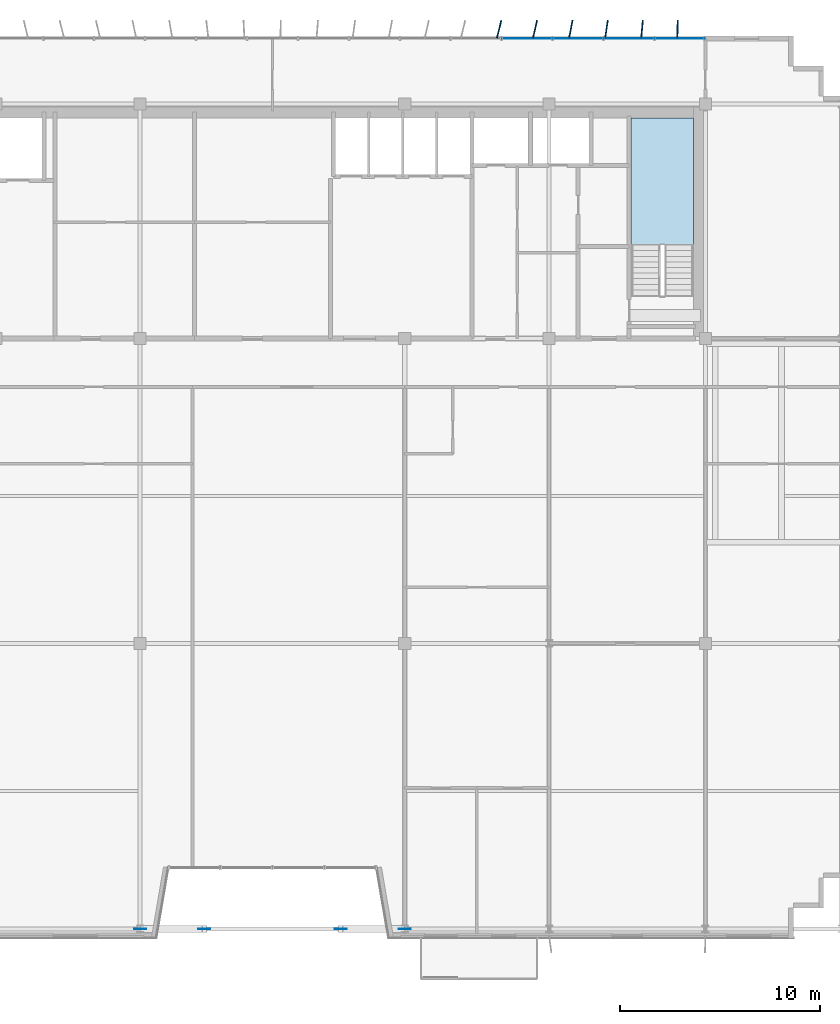
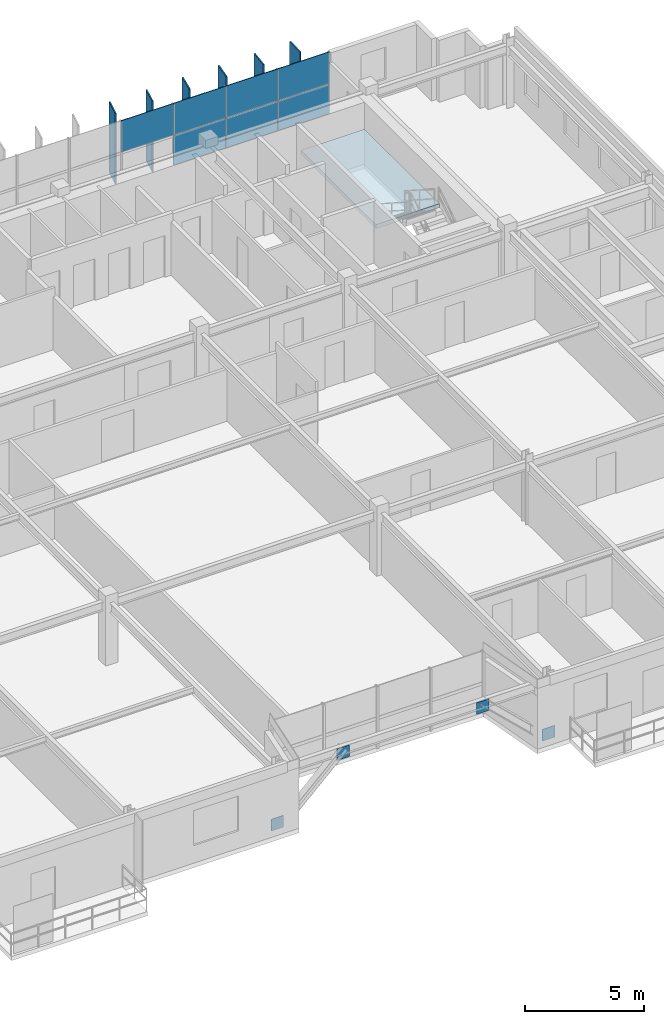
# One storey, part 20 of 26: 17 plates, 1 slab, 2 elements without a shape of their own.
"""IFC4 building model written with IfcOpenShell, lengths in metres."""

from ifc_helpers import new_model, si_unit, direction, frame, origin, origin_2d, place, context, subcontext, project, spatial, polyline, rectangle, outline, extrude, source, transform, mapped, material, layer, layer_set, type_object, element, aggregate, save


model = new_model("IFC4")

# Units and contexts
model_context = context("Model", 3, precision=1e-05, world=origin(), true_north=direction((0.0, 1.0)))
body_context = subcontext(model_context, "Body", "Model", "MODEL_VIEW")
ifc_project = project(units=[si_unit("LENGTHUNIT", "METRE"), si_unit("AREAUNIT", "SQUARE_METRE"), si_unit("VOLUMEUNIT", "CUBIC_METRE"), si_unit("PLANEANGLEUNIT", "RADIAN"), si_unit("MASSUNIT", "GRAM", prefix="KILO")], contexts=[model_context])

# Site, building, storey
site_placement = place(None, origin())
site = spatial("IfcSite", under=ifc_project, at=site_placement, CompositionType="ELEMENT")
building_placement = place(site_placement, origin())
building = spatial("IfcBuilding", under=site, at=building_placement, Name="Trelvane Seafront Commons", CompositionType="ELEMENT")
storey_placement = place(building_placement, frame((0.0, 0.0, 291.89990234375)))
storey = spatial("IfcBuildingStorey", under=building, at=storey_placement, Name="L76", CompositionType="ELEMENT", Elevation=291.89990234375)

# Stair, slab
ifc_material_1 = material(Name="Concrete C40/50", Category="concrete")
stair_type = type_object("IfcStairType", Name="ARCH-STR-ST-2-R20-180", PredefinedType="HALF_TURN_STAIR", material=ifc_material_1)
stair_placement = place(storey_placement, origin())
stair = element("IfcStair", 1, at=stair_placement, inside=storey, type_object=stair_type, Name="L76 East Protected Firefighting Exit Stair ST-2", PredefinedType="HALF_TURN_STAIR")
ifc_layer_1 = layer(ifc_material_1, 0.199951171875, Name="ARCH-LND-200")
ifc_layer_set_1 = layer_set([ifc_layer_1], Name="Concrete C40/50")
slab_type = type_object("IfcSlabType", Name="ARCH-LND-200", PredefinedType="LANDING", material=ifc_layer_set_1)
slab_placement = place(storey_placement, frame((0.0, 0.0, 1.60009765625)))
slab = element("IfcSlab", 2, at=slab_placement, type_object=slab_type, Name="ST-2 landing 1", PredefinedType="LANDING", context=body_context, shape_type="SweptSolid", body=[
    extrude(outline(polyline([(58.199951171875, 38.070068359375), (58.199951171875, 44.39990234375), (55.10009765625, 44.39990234375), (55.10009765625, 38.070068359375), (58.199951171875, 38.070068359375)])), origin(), (0.0, 0.0, 1.0), 0.199951171875),
])
aggregate(stair, [slab])

# Plates
ifc_material_2 = material(Name="Steel SM355 (S355)", Category="steel")
ifc_layer_2 = layer(ifc_material_2, 0.031982421875, Name="STR-PLT-GUS2")
ifc_layer_set_2 = layer_set([ifc_layer_2], Name="Steel SM355 (S355)")
plate_type_1 = type_object("IfcPlateType", Name="STR-PLT-GUS2", PredefinedType="SHEET", material=ifc_layer_set_2)
shared_shape_1 = source(origin(), body_context, "Body", "SweptSolid", [
    extrude(rectangle(XDim=0.60009765625, YDim=0.031982421875, at=origin_2d()), origin(), (0.0, 0.0, 1.0), 0.60009765625),
])
for number, where, z_axis, x_axis, name in (
    (3, (30.60009765625, 3.949951171875, -0.02001953125), (0.0, 0.0, 1.0), (1.0, 0.0, 0.0), "L76 Brace Connection Gusset Plate GP-202"),
    (4, (33.800048828125, 3.949951171875, 2.47998046875), (0.0, 0.0, 1.0), (1.0, 0.0, 0.0), "L76 Brace Connection Gusset Plate GP-203"),
    (5, (43.800048828125, 3.949951171875, -0.02001953125), (0.0, 0.0, 1.0), (1.0, 0.0, 0.0), "L76 Brace Connection Gusset Plate GP-204"),
    (6, (40.60009765625, 3.949951171875, 2.47998046875), (0.0, 0.0, 1.0), (1.0, 0.0, 0.0), "L76 Brace Connection Gusset Plate GP-205"),
):
    element("IfcPlate", number, at=place(storey_placement, frame(where, z_axis=z_axis, x_axis=x_axis)), inside=storey, type_object=plate_type_1, Name=name, PredefinedType="SHEET", context=body_context, shape_type="MappedRepresentation", body=[
        mapped(shared_shape_1, transform((0.0, 0.0, 0.0), x_axis=(1.0, 0.0, 0.0), y_axis=(0.0, 1.0, 0.0), z_axis=(0.0, 0.0, 1.0), scale=1.0)),
    ])
ifc_material_3 = material(Name="Anodised pale-silver aluminium", Category="aluminium")
ifc_layer_3 = layer(ifc_material_3, 0.06005859375, Name="ARCH-PLATE-FIN900")
ifc_layer_set_3 = layer_set([ifc_layer_3], Name="Anodised pale-silver aluminium")
plate_type_2 = type_object("IfcPlateType", Name="ARCH-PLATE-FIN900", PredefinedType="USERDEFINED", material=ifc_layer_set_3)
shared_shape_2 = source(origin(), body_context, "Body", "SweptSolid", [
    extrude(rectangle(XDim=0.89990234375, YDim=0.06005859375, at=origin_2d()), origin(), (0.0, 0.0, 1.0), 3.639892578125),
])
for number, where, z_axis, x_axis, name in (
    (7, (48.50830078125, 48.8369140625, -0.02001953125), (0.0, 0.0, 1.0), (0.240338165223, 0.970689222325, 0.0), "FIN-L76-02143"),
    (8, (50.30078125, 48.83837890625, -0.02001953125), (0.0, 0.0, 1.0), (0.224112577062, 0.974563262597, 0.0), "FIN-L76-02144"),
    (9, (52.086181640625, 48.841796875, -0.02001953125), (0.0, 0.0, 1.0), (0.19132808725, 0.981526139758, 0.0), "FIN-L76-02145"),
    (10, (53.864990234375, 48.84521484375, -0.02001953125), (0.0, 0.0, 1.0), (0.144330295227, 0.989529567966, 0.0), "FIN-L76-02146"),
    (11, (55.638916015625, 48.848388671875, -0.02001953125), (0.0, 0.0, 1.0), (0.086227245772, 0.996275495075, 0.0), "FIN-L76-02147"),
    (12, (57.40966796875, 48.849853515625, -0.02001953125), (0.0, 0.0, 1.0), (0.021444961801, 0.999770030364, 0.0), "FIN-L76-02148"),
):
    element("IfcPlate", number, at=place(storey_placement, frame(where, z_axis=z_axis, x_axis=x_axis)), inside=storey, type_object=plate_type_2, Name=name, ObjectType="FIN", PredefinedType="USERDEFINED", context=body_context, shape_type="MappedRepresentation", body=[
        mapped(shared_shape_2, transform((0.0, 0.0, 0.0), x_axis=(1.0, 0.0, 0.0), y_axis=(0.0, 1.0, 0.0), z_axis=(0.0, 0.0, 1.0), scale=1.0)),
    ])

# Curtain wall, plates
curtain_wall_type = type_object("IfcCurtainWallType", Name="ARCH-CW5-UPTOWER", PredefinedType="NOTDEFINED", material=ifc_material_3)
curtain_wall_placement = place(storey_placement, origin())
curtain_wall = element("IfcCurtainWall", 13, at=curtain_wall_placement, inside=storey, type_object=curtain_wall_type, Name="CW-L76-0120", PredefinedType="NOTDEFINED")
ifc_material_4 = material(Name="Low-E coastal double glazing", Category="glass")
ifc_layer_4 = layer(ifc_material_4, 0.033935546875, Name="ARCH-CW-GLAZ-34")
ifc_layer_set_4 = layer_set([ifc_layer_4], Name="Low-E coastal double glazing")
plate_type_3 = type_object("IfcPlateType", Name="ARCH-CW-GLAZ-34", PredefinedType="CURTAIN_PANEL", material=ifc_layer_set_4)
shared_shape_3 = source(origin(), body_context, "Body", "SweptSolid", [
    extrude(rectangle(XDim=2.51708984375, YDim=0.033935546875, at=origin_2d()), origin(), (0.0, 0.0, 1.0), 1.508056640625),
])
plate_1_placement = place(storey_placement, frame((52.447021484375, 48.3701171875, 0.0), z_axis=(0.0, 0.0, 1.0), x_axis=(1.0, 0.0, 0.0)))
plate_1 = element("IfcPlate", 14, at=plate_1_placement, type_object=plate_type_3, Name="CW-L76-0120-P14-1", PredefinedType="CURTAIN_PANEL", context=body_context, shape_type="MappedRepresentation", body=[
    mapped(shared_shape_3, transform((0.0, 0.0, 0.0), x_axis=(1.0, 0.0, 0.0), y_axis=(0.0, 1.0, 0.0), z_axis=(0.0, 0.0, 1.0), scale=1.0)),
])
plate_2_placement = place(storey_placement, frame((54.98828125, 48.3701171875, 0.0), z_axis=(0.0, 0.0, 1.0), x_axis=(1.0, 0.0, 0.0)))
plate_2 = element("IfcPlate", 15, at=plate_2_placement, type_object=plate_type_3, Name="CW-L76-0120-P15-1", PredefinedType="CURTAIN_PANEL", context=body_context, shape_type="MappedRepresentation", body=[
    mapped(shared_shape_3, transform((0.0, 0.0, 0.0), x_axis=(1.0, 0.0, 0.0), y_axis=(0.0, 1.0, 0.0), z_axis=(0.0, 0.0, 1.0), scale=1.0)),
])
plate_3_placement = place(storey_placement, frame((57.529296875, 48.3701171875, 0.0), z_axis=(0.0, 0.0, 1.0), x_axis=(1.0, 0.0, 0.0)))
plate_3 = element("IfcPlate", 16, at=plate_3_placement, type_object=plate_type_3, Name="CW-L76-0120-P16-1", PredefinedType="CURTAIN_PANEL", context=body_context, shape_type="MappedRepresentation", body=[
    mapped(shared_shape_3, transform((0.0, 0.0, 0.0), x_axis=(1.0, 0.0, 0.0), y_axis=(0.0, 1.0, 0.0), z_axis=(0.0, 0.0, 1.0), scale=1.0)),
])
shared_shape_4 = source(origin(), body_context, "Body", "SweptSolid", [
    extrude(rectangle(XDim=2.51708984375, YDim=0.033935546875, at=origin_2d()), origin(), (0.0, 0.0, 1.0), 1.635986328125),
])
plate_4_placement = place(storey_placement, frame((49.906005859375, 48.3701171875, 1.5439453125), z_axis=(0.0, 0.0, 1.0), x_axis=(1.0, 0.0, 0.0)))
plate_4 = element("IfcPlate", 17, at=plate_4_placement, type_object=plate_type_3, Name="CW-L76-0120-P13-2", PredefinedType="CURTAIN_PANEL", context=body_context, shape_type="MappedRepresentation", body=[
    mapped(shared_shape_4, transform((0.0, 0.0, 0.0), x_axis=(1.0, 0.0, 0.0), y_axis=(0.0, 1.0, 0.0), z_axis=(0.0, 0.0, 1.0), scale=1.0)),
])
plate_5_placement = place(storey_placement, frame((52.447021484375, 48.3701171875, 1.5439453125), z_axis=(0.0, 0.0, 1.0), x_axis=(1.0, 0.0, 0.0)))
plate_5 = element("IfcPlate", 18, at=plate_5_placement, type_object=plate_type_3, Name="CW-L76-0120-P14-2", PredefinedType="CURTAIN_PANEL", context=body_context, shape_type="MappedRepresentation", body=[
    mapped(shared_shape_4, transform((0.0, 0.0, 0.0), x_axis=(1.0, 0.0, 0.0), y_axis=(0.0, 1.0, 0.0), z_axis=(0.0, 0.0, 1.0), scale=1.0)),
])
plate_6_placement = place(storey_placement, frame((54.98828125, 48.3701171875, 1.5439453125), z_axis=(0.0, 0.0, 1.0), x_axis=(1.0, 0.0, 0.0)))
plate_6 = element("IfcPlate", 19, at=plate_6_placement, type_object=plate_type_3, Name="CW-L76-0120-P15-2", PredefinedType="CURTAIN_PANEL", context=body_context, shape_type="MappedRepresentation", body=[
    mapped(shared_shape_4, transform((0.0, 0.0, 0.0), x_axis=(1.0, 0.0, 0.0), y_axis=(0.0, 1.0, 0.0), z_axis=(0.0, 0.0, 1.0), scale=1.0)),
])
plate_7_placement = place(storey_placement, frame((57.529296875, 48.3701171875, 1.5439453125), z_axis=(0.0, 0.0, 1.0), x_axis=(1.0, 0.0, 0.0)))
plate_7 = element("IfcPlate", 20, at=plate_7_placement, type_object=plate_type_3, Name="CW-L76-0120-P16-2", PredefinedType="CURTAIN_PANEL", context=body_context, shape_type="MappedRepresentation", body=[
    mapped(shared_shape_4, transform((0.0, 0.0, 0.0), x_axis=(1.0, 0.0, 0.0), y_axis=(0.0, 1.0, 0.0), z_axis=(0.0, 0.0, 1.0), scale=1.0)),
])
aggregate(curtain_wall, [plate_4, plate_1, plate_5, plate_2, plate_6, plate_3, plate_7])

save(model, "model.ifc")
